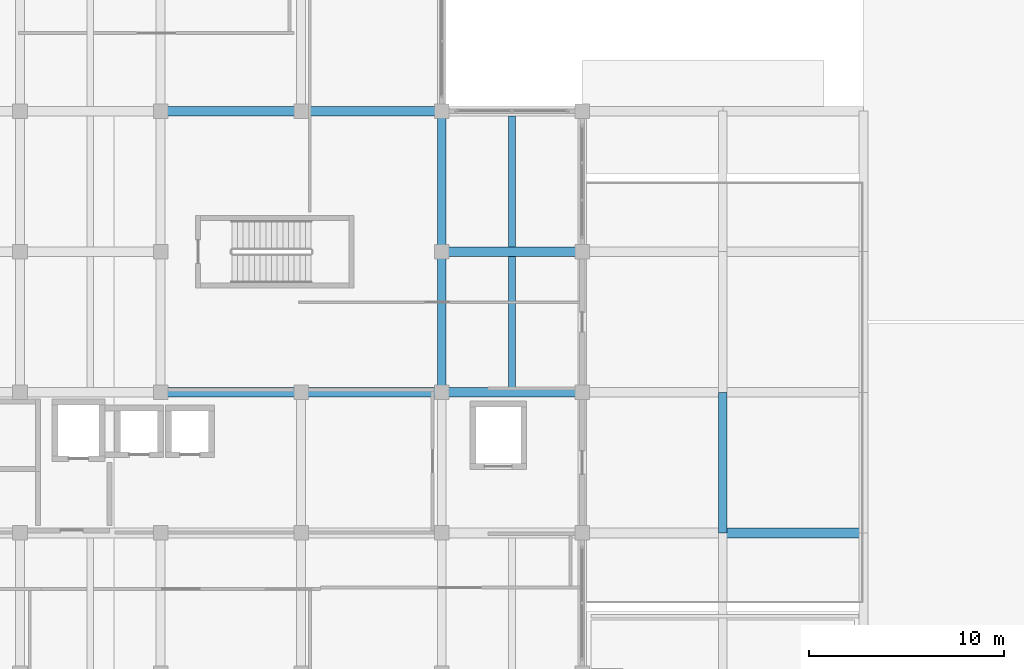
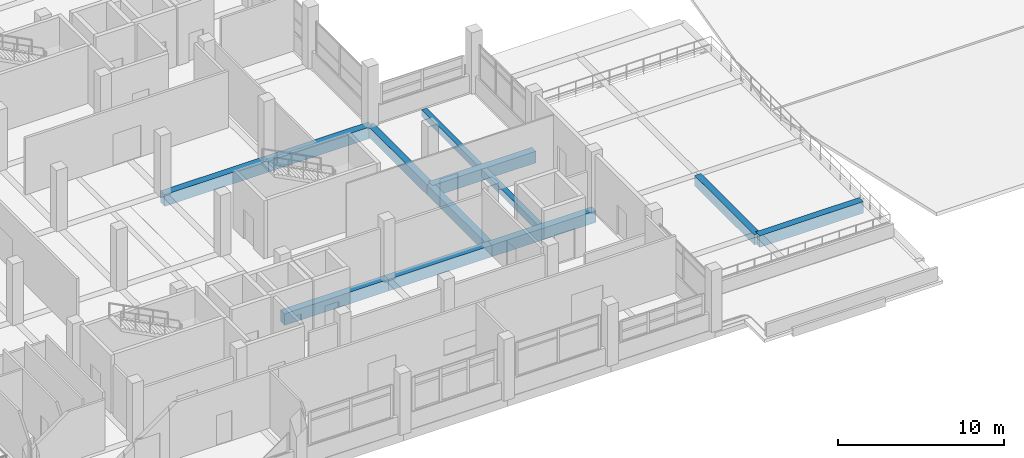
# One storey, part 40 of 141: 12 beams.
"""IFC4 building model written with IfcOpenShell, lengths in metres."""

from ifc_helpers import new_model, si_unit, direction, frame, origin, origin_2d, place, context, subcontext, project, spatial, rectangle, extrude, material, material_profile, profile_set, type_object, element, save


model = new_model("IFC4")

# Units and contexts
model_context = context("Model", 3, precision=1e-05, world=origin(), true_north=direction((0.0, 1.0)))
body_context = subcontext(model_context, "Body", "Model", "MODEL_VIEW")
ifc_project = project(units=[si_unit("LENGTHUNIT", "METRE"), si_unit("AREAUNIT", "SQUARE_METRE"), si_unit("VOLUMEUNIT", "CUBIC_METRE"), si_unit("PLANEANGLEUNIT", "RADIAN"), si_unit("MASSUNIT", "GRAM", prefix="KILO")], contexts=[model_context])

# Site, building, storey
site_placement = place(None, origin())
site = spatial("IfcSite", under=ifc_project, at=site_placement, CompositionType="ELEMENT")
building_placement = place(site_placement, origin())
building = spatial("IfcBuilding", under=site, at=building_placement, Name="Seraya Terrace Polytechnic", CompositionType="ELEMENT")
storey_placement = place(building_placement, frame((0.0, 0.0, 14.39990234375)))
storey = spatial("IfcBuildingStorey", under=building, at=storey_placement, Name="L03", CompositionType="ELEMENT", Elevation=14.39990234375)

# Beams
ifc_material = material(Name="Concrete C40/50", Category="concrete")
ifc_material_profile_1 = material_profile(ifc_material, rectangle(XDim=0.5, YDim=0.85009765625, at=origin_2d()), Name="RC 500x850")
ifc_profile_set_1 = profile_set([ifc_material_profile_1], Name="Concrete C40/50")
beam_type_1 = type_object("IfcBeamType", Name="BM-05", PredefinedType="BEAM", material=ifc_profile_set_1)
beam_1_placement = place(storey_placement, frame((122.39990234375, 7.199951171875, -0.4248046875), z_axis=(1.0, 0.0, 0.0), x_axis=(0.0, 1.0, 0.0)))
element("IfcBeam", 1, at=beam_1_placement, inside=storey, type_object=beam_type_1, Name="Beam BM-05 L03 X (122.4..129.6, 7.2)", PredefinedType="BEAM", context=body_context, shape_type="SweptSolid", body=[
    extrude(rectangle(XDim=0.5, YDim=0.85009765625, at=origin_2d()), origin(), (0.0, 0.0, 1.0), 7.2001953125),
])
for number, where, z_axis, x_axis, name in (
    (2, (93.60009765625, 14.39990234375, -0.4248046875), (1.0, 0.0, 0.0), (0.0, 1.0, 0.0), "Beam BM-05 L03 X (93.6..100.8, 14.4)"),
    (3, (100.800048828125, 14.39990234375, -0.4248046875), (1.0, 0.0, 0.0), (0.0, 1.0, 0.0), "Beam BM-05 L03 X (100.8..108.0, 14.4)"),
    (4, (108.0, 14.39990234375, -0.4248046875), (1.0, 0.0, 0.0), (0.0, 1.0, 0.0), "Beam BM-05 L03 X (108.0..115.2, 14.4)"),
    (5, (108.0, 21.60009765625, -0.4248046875), (1.0, 0.0, 0.0), (0.0, 1.0, 0.0), "Beam BM-05 L03 X (108.0..115.2, 21.6)"),
    (6, (93.60009765625, 28.800048828125, -0.4248046875), (1.0, 0.0, 0.0), (0.0, 1.0, 0.0), "Beam BM-05 L03 X (93.6..100.8, 28.8)"),
    (7, (100.800048828125, 28.800048828125, -0.4248046875), (1.0, 0.0, 0.0), (0.0, 1.0, 0.0), "Beam BM-05 L03 X (100.8..108.0, 28.8)"),
):
    element("IfcBeam", number, at=place(storey_placement, frame(where, z_axis=z_axis, x_axis=x_axis)), inside=storey, type_object=beam_type_1, Name=name, PredefinedType="BEAM", context=body_context, shape_type="SweptSolid", body=[
        extrude(rectangle(XDim=0.5, YDim=0.85009765625, at=origin_2d()), origin(), (0.0, 0.0, 1.0), 7.199951171875),
    ])
ifc_material_profile_2 = material_profile(ifc_material, rectangle(XDim=0.449951171875, YDim=0.75, at=origin_2d()), Name="RC 450x750")
ifc_profile_set_2 = profile_set([ifc_material_profile_2], Name="Concrete C40/50")
beam_type_2 = type_object("IfcBeamType", Name="BM-08", PredefinedType="BEAM", material=ifc_profile_set_2)
beam_2_placement = place(storey_placement, frame((108.0, 14.39990234375, -0.375), z_axis=(0.0, 1.0, 0.0), x_axis=(-1.0, 0.0, 0.0)))
element("IfcBeam", 8, at=beam_2_placement, inside=storey, type_object=beam_type_2, Name="Beam BM-08 L03 Y (108.0, 14.4..21.6)", PredefinedType="BEAM", context=body_context, shape_type="SweptSolid", body=[
    extrude(rectangle(XDim=0.449951171875, YDim=0.75, at=origin_2d()), origin(), (0.0, 0.0, 1.0), 7.2001953125),
])
for number, where, z_axis, x_axis, name in (
    (9, (108.0, 21.60009765625, -0.375), (0.0, 1.0, 0.0), (-1.0, 0.0, 0.0), "Beam BM-08 L03 Y (108.0, 21.6..28.8)"),
    (10, (122.39990234375, 7.199951171875, -0.375), (0.0, 1.0, 0.0), (-1.0, 0.0, 0.0), "Beam BM-08 L03 Y (122.4, 7.2..14.4)"),
):
    element("IfcBeam", number, at=place(storey_placement, frame(where, z_axis=z_axis, x_axis=x_axis)), inside=storey, type_object=beam_type_2, Name=name, PredefinedType="BEAM", context=body_context, shape_type="SweptSolid", body=[
        extrude(rectangle(XDim=0.449951171875, YDim=0.75, at=origin_2d()), origin(), (0.0, 0.0, 1.0), 7.199951171875),
    ])
ifc_material_profile_3 = material_profile(ifc_material, rectangle(XDim=0.35009765625, YDim=0.5, at=origin_2d()), Name="RC 350x500")
ifc_profile_set_3 = profile_set([ifc_material_profile_3], Name="Concrete C40/50")
beam_type_3 = type_object("IfcBeamType", Name="JS-03", PredefinedType="JOIST", material=ifc_profile_set_3)
beam_3_placement = place(storey_placement, frame((111.60009765625, 14.64990234375, -0.25), z_axis=(0.0, 1.0, 0.0), x_axis=(-1.0, 0.0, 0.0)))
element("IfcBeam", 11, at=beam_3_placement, inside=storey, type_object=beam_type_3, Name="Secondary joist JS-03 L03", PredefinedType="JOIST", context=body_context, shape_type="SweptSolid", body=[
    extrude(rectangle(XDim=0.35009765625, YDim=0.5, at=origin_2d()), origin(), (0.0, 0.0, 1.0), 6.7001953125),
])
beam_4_placement = place(storey_placement, frame((111.60009765625, 21.85009765625, -0.25), z_axis=(0.0, 1.0, 0.0), x_axis=(-1.0, 0.0, 0.0)))
element("IfcBeam", 12, at=beam_4_placement, inside=storey, type_object=beam_type_3, Name="Secondary joist JS-03 L03", PredefinedType="JOIST", context=body_context, shape_type="SweptSolid", body=[
    extrude(rectangle(XDim=0.35009765625, YDim=0.5, at=origin_2d()), origin(), (0.0, 0.0, 1.0), 6.699951171875),
])

save(model, "model.ifc")
